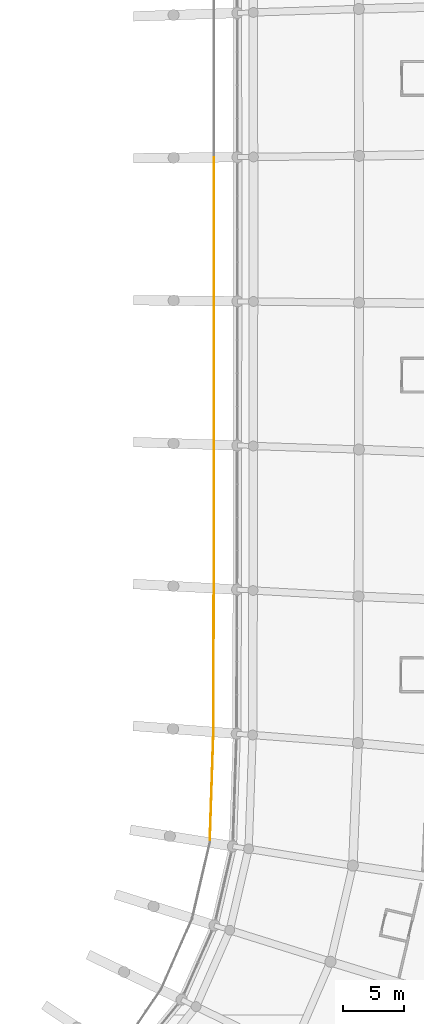
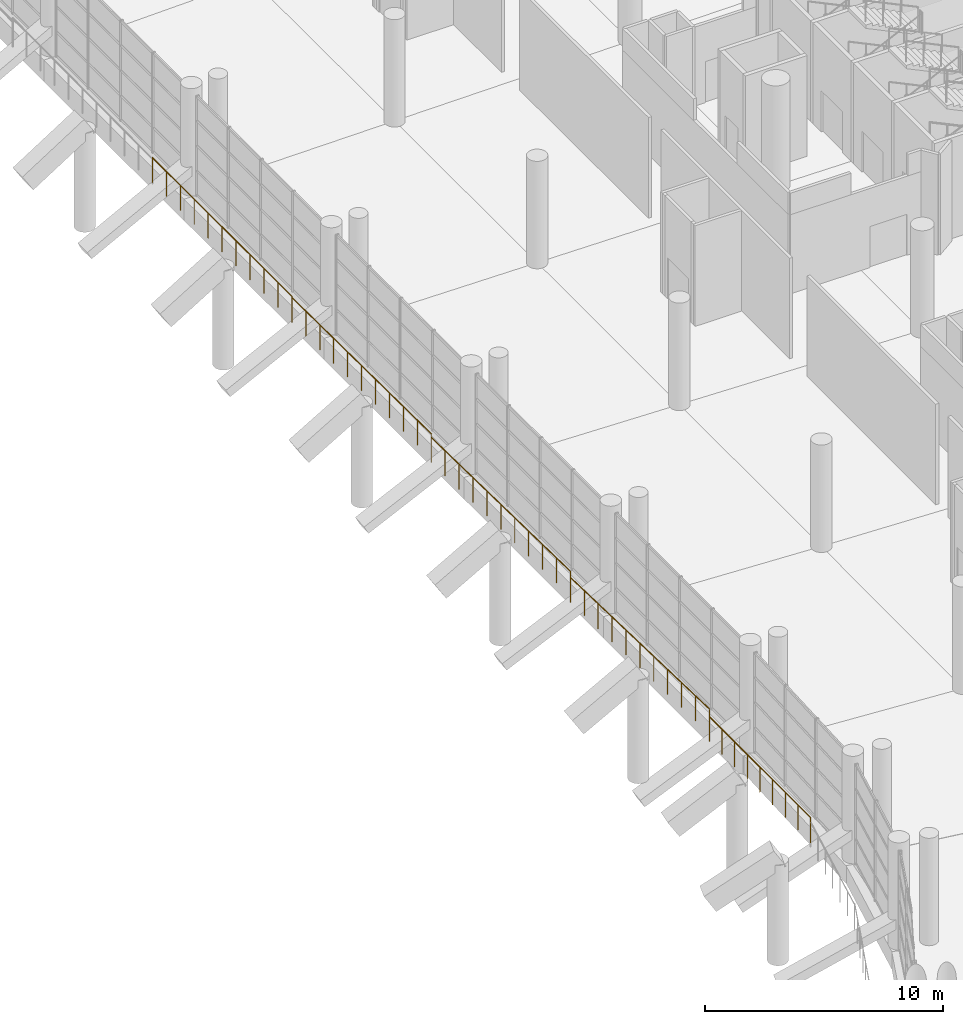
# One storey, part 244 of 271: 5 railings.
"""IFC4 building model written with IfcOpenShell, lengths in metres."""

from ifc_helpers import new_model, si_unit, direction, frame, origin, origin_2d, place, context, subcontext, project, spatial, circle, extrude, material, type_object, element, save


model = new_model("IFC4")

# Units and contexts
model_context = context("Model", 3, precision=1e-05, world=origin(), true_north=direction((0.0, 1.0)))
body_context = subcontext(model_context, "Body", "Model", "MODEL_VIEW")
ifc_project = project(units=[si_unit("LENGTHUNIT", "METRE"), si_unit("AREAUNIT", "SQUARE_METRE"), si_unit("VOLUMEUNIT", "CUBIC_METRE"), si_unit("PLANEANGLEUNIT", "RADIAN"), si_unit("MASSUNIT", "GRAM", prefix="KILO")], contexts=[model_context])

# Site, building, storey
site_placement = place(None, origin())
site = spatial("IfcSite", under=ifc_project, at=site_placement, CompositionType="ELEMENT")
building_placement = place(site_placement, origin())
building = spatial("IfcBuilding", under=site, at=building_placement, Name="Meseta Stadium", CompositionType="ELEMENT")
storey_placement = place(building_placement, frame((0.0, 0.0, 6.5)))
storey = spatial("IfcBuildingStorey", under=building, at=storey_placement, Name="L01", CompositionType="ELEMENT", Elevation=6.5)

# Railings
ifc_material = material(Name="Steel S355", Category="steel")
railing_type = type_object("IfcRailingType", Name="Stand rear guard 1300", PredefinedType="GUARDRAIL", material=ifc_material)
railing_1_placement = place(storey_placement, frame((61.34228515625, -49.970947265625, 1.243896484375)))
element("IfcRailing", 1, at=railing_1_placement, inside=storey, type_object=railing_type, Name="Stand lower tier rear guard bay 01", PredefinedType="GUARDRAIL", context=body_context, shape_type="SweptSolid", body=[
    extrude(circle(Radius=0.02490234375, at=origin_2d()), frame((0.0, 0.0, 1.27490234375), z_axis=(0.032921329146, 0.998514462974, -0.043417200723), x_axis=(-0.999456922124, 0.032952402314, 0.0)), (0.0, 0.0, 1.0), 9.025146484375),
    extrude(circle(Radius=0.02001953125, at=origin_2d()), origin(), (0.0, 0.0, 1.0), 1.25),
    extrude(circle(Radius=0.02001953125, at=origin_2d()), frame((0.037109375, 1.12646484375, -0.049072265625)), (0.0, 0.0, 1.0), 1.25),
    extrude(circle(Radius=0.02001953125, at=origin_2d()), frame((0.07421875, 2.2529296875, -0.097900390625)), (0.0, 0.0, 1.0), 1.25),
    extrude(circle(Radius=0.02001953125, at=origin_2d()), frame((0.111328125, 3.37939453125, -0.14697265625)), (0.0, 0.0, 1.0), 1.25),
    extrude(circle(Radius=0.02001953125, at=origin_2d()), frame((0.1484375, 4.505859375, -0.19580078125)), (0.0, 0.0, 1.0), 1.25),
    extrude(circle(Radius=0.02001953125, at=origin_2d()), frame((0.185791015625, 5.63232421875, -0.244873046875)), (0.0, 0.0, 1.0), 1.25),
    extrude(circle(Radius=0.02001953125, at=origin_2d()), frame((0.222900390625, 6.7587890625, -0.2939453125)), (0.0, 0.0, 1.0), 1.25),
    extrude(circle(Radius=0.02001953125, at=origin_2d()), frame((0.260009765625, 7.88525390625, -0.3427734375)), (0.0, 0.0, 1.0), 1.25),
    extrude(circle(Radius=0.02001953125, at=origin_2d()), frame((0.297119140625, 9.01171875, -0.391845703125)), (0.0, 0.0, 1.0), 1.25),
])
railing_2_placement = place(storey_placement, frame((61.639404296875, -40.959228515625, 1.24462890625)))
element("IfcRailing", 2, at=railing_2_placement, inside=storey, type_object=railing_type, Name="Stand lower tier rear guard bay 02", PredefinedType="GUARDRAIL", context=body_context, shape_type="SweptSolid", body=[
    extrude(circle(Radius=0.02490234375, at=origin_2d()), frame((0.0, 0.0, 1.27490234375), z_axis=(0.002523357505, 0.999478968055, -0.032178021735), x_axis=(-0.999996813029, 0.002524664894, 0.0)), (0.0, 0.0, 1.0), 11.70703125),
    extrude(circle(Radius=0.02001953125, at=origin_2d()), origin(), (0.0, 0.0, 1.0), 1.25),
    extrude(circle(Radius=0.02001953125, at=origin_2d()), frame((0.0029296875, 1.170166015625, -0.03759765625)), (0.0, 0.0, 1.0), 1.25),
    extrude(circle(Radius=0.02001953125, at=origin_2d()), frame((0.005859375, 2.340087890625, -0.075439453125)), (0.0, 0.0, 1.0), 1.25),
    extrude(circle(Radius=0.02001953125, at=origin_2d()), frame((0.0087890625, 3.51025390625, -0.113037109375)), (0.0, 0.0, 1.0), 1.25),
    extrude(circle(Radius=0.02001953125, at=origin_2d()), frame((0.01171875, 4.680419921875, -0.150634765625)), (0.0, 0.0, 1.0), 1.25),
    extrude(circle(Radius=0.02001953125, at=origin_2d()), frame((0.0146484375, 5.8505859375, -0.1884765625)), (0.0, 0.0, 1.0), 1.25),
    extrude(circle(Radius=0.02001953125, at=origin_2d()), frame((0.017822265625, 7.0205078125, -0.22607421875)), (0.0, 0.0, 1.0), 1.25),
    extrude(circle(Radius=0.02001953125, at=origin_2d()), frame((0.020751953125, 8.190673828125, -0.263671875)), (0.0, 0.0, 1.0), 1.25),
    extrude(circle(Radius=0.02001953125, at=origin_2d()), frame((0.023681640625, 9.36083984375, -0.30126953125)), (0.0, 0.0, 1.0), 1.25),
    extrude(circle(Radius=0.02001953125, at=origin_2d()), frame((0.026611328125, 10.53076171875, -0.339111328125)), (0.0, 0.0, 1.0), 1.25),
    extrude(circle(Radius=0.02001953125, at=origin_2d()), frame((0.029541015625, 11.700927734375, -0.376708984375)), (0.0, 0.0, 1.0), 1.25),
])
railing_3_placement = place(storey_placement, frame((61.6689453125, -29.25830078125, 1.18212890625)))
element("IfcRailing", 3, at=railing_3_placement, inside=storey, type_object=railing_type, Name="Stand lower tier rear guard bay 03", PredefinedType="GUARDRAIL", context=body_context, shape_type="SweptSolid", body=[
    extrude(circle(Radius=0.02490234375, at=origin_2d()), frame((0.0, 0.0, 1.27490234375), z_axis=(0.001689431111, 0.999767788681, -0.021482889438), x_axis=(-0.999998572251, 0.001689821095, 0.0)), (0.0, 0.0, 1.0), 11.705322265625),
    extrude(circle(Radius=0.02001953125, at=origin_2d()), origin(), (0.0, 0.0, 1.0), 1.25),
    extrude(circle(Radius=0.02001953125, at=origin_2d()), frame((0.001953125, 1.170166015625, -0.025146484375)), (0.0, 0.0, 1.0), 1.25),
    extrude(circle(Radius=0.02001953125, at=origin_2d()), frame((0.00390625, 2.340576171875, -0.05029296875)), (0.0, 0.0, 1.0), 1.25),
    extrude(circle(Radius=0.02001953125, at=origin_2d()), frame((0.005859375, 3.5107421875, -0.075439453125)), (0.0, 0.0, 1.0), 1.25),
    extrude(circle(Radius=0.02001953125, at=origin_2d()), frame((0.0078125, 4.68115234375, -0.1005859375)), (0.0, 0.0, 1.0), 1.25),
    extrude(circle(Radius=0.02001953125, at=origin_2d()), frame((0.009765625, 5.851318359375, -0.125732421875)), (0.0, 0.0, 1.0), 1.25),
    extrude(circle(Radius=0.02001953125, at=origin_2d()), frame((0.011962890625, 7.021484375, -0.15087890625)), (0.0, 0.0, 1.0), 1.25),
    extrude(circle(Radius=0.02001953125, at=origin_2d()), frame((0.013916015625, 8.19189453125, -0.176025390625)), (0.0, 0.0, 1.0), 1.25),
    extrude(circle(Radius=0.02001953125, at=origin_2d()), frame((0.015869140625, 9.362060546875, -0.201171875)), (0.0, 0.0, 1.0), 1.25),
    extrude(circle(Radius=0.02001953125, at=origin_2d()), frame((0.017822265625, 10.532470703125, -0.226318359375)), (0.0, 0.0, 1.0), 1.25),
    extrude(circle(Radius=0.02001953125, at=origin_2d()), frame((0.019775390625, 11.70263671875, -0.25146484375)), (0.0, 0.0, 1.0), 1.25),
])
railing_4_placement = place(storey_placement, frame((61.688720703125, -17.5556640625, 1.119384765625)))
element("IfcRailing", 4, at=railing_4_placement, inside=storey, type_object=railing_type, Name="Stand lower tier rear guard bay 04", PredefinedType="GUARDRAIL", context=body_context, shape_type="SweptSolid", body=[
    extrude(circle(Radius=0.02490234375, at=origin_2d()), frame((0.0, 0.0, 1.27490234375), z_axis=(0.000855221537, 0.999941708545, -0.010763275932), x_axis=(-0.999999634256, 0.000855271079, 0.0)), (0.0, 0.0, 1.0), 11.704345703125),
    extrude(circle(Radius=0.02001953125, at=origin_2d()), origin(), (0.0, 0.0, 1.0), 1.25),
    extrude(circle(Radius=0.02001953125, at=origin_2d()), frame((0.0009765625, 1.17041015625, -0.0126953125)), (0.0, 0.0, 1.0), 1.25),
    extrude(circle(Radius=0.02001953125, at=origin_2d()), frame((0.001953125, 2.3408203125, -0.025146484375)), (0.0, 0.0, 1.0), 1.25),
    extrude(circle(Radius=0.02001953125, at=origin_2d()), frame((0.0029296875, 3.510986328125, -0.037841796875)), (0.0, 0.0, 1.0), 1.25),
    extrude(circle(Radius=0.02001953125, at=origin_2d()), frame((0.00390625, 4.681396484375, -0.05029296875)), (0.0, 0.0, 1.0), 1.25),
    extrude(circle(Radius=0.02001953125, at=origin_2d()), frame((0.0048828125, 5.851806640625, -0.06298828125)), (0.0, 0.0, 1.0), 1.25),
    extrude(circle(Radius=0.02001953125, at=origin_2d()), frame((0.006103515625, 7.022216796875, -0.07568359375)), (0.0, 0.0, 1.0), 1.25),
    extrude(circle(Radius=0.02001953125, at=origin_2d()), frame((0.007080078125, 8.192626953125, -0.088134765625)), (0.0, 0.0, 1.0), 1.25),
    extrude(circle(Radius=0.02001953125, at=origin_2d()), frame((0.008056640625, 9.36279296875, -0.100830078125)), (0.0, 0.0, 1.0), 1.25),
    extrude(circle(Radius=0.02001953125, at=origin_2d()), frame((0.009033203125, 10.533203125, -0.11328125)), (0.0, 0.0, 1.0), 1.25),
    extrude(circle(Radius=0.02001953125, at=origin_2d()), frame((0.010009765625, 11.70361328125, -0.1259765625)), (0.0, 0.0, 1.0), 1.25),
])
railing_5_placement = place(storey_placement, frame((61.69873046875, -5.85205078125, 1.056396484375)))
element("IfcRailing", 5, at=railing_5_placement, inside=storey, type_object=railing_type, Name="Stand lower tier rear guard bay 05", PredefinedType="GUARDRAIL", context=body_context, shape_type="SweptSolid", body=[
    extrude(circle(Radius=0.02490234375, at=origin_2d()), frame((0.0, 0.0, 1.27490234375), z_axis=(0.0, 1.0, 0.0), x_axis=(-1.0, 0.0, 0.0)), (0.0, 0.0, 1.0), 11.7041015625),
    extrude(circle(Radius=0.02001953125, at=origin_2d()), origin(), (0.0, 0.0, 1.0), 1.25),
    extrude(circle(Radius=0.02001953125, at=origin_2d()), frame((0.0, 1.17041015625, 0.0)), (0.0, 0.0, 1.0), 1.25),
    extrude(circle(Radius=0.02001953125, at=origin_2d()), frame((0.0, 2.3408203125, 0.0)), (0.0, 0.0, 1.0), 1.25),
    extrude(circle(Radius=0.02001953125, at=origin_2d()), frame((0.0, 3.51123046875, 0.0)), (0.0, 0.0, 1.0), 1.25),
    extrude(circle(Radius=0.02001953125, at=origin_2d()), frame((0.0, 4.681640625, 0.0)), (0.0, 0.0, 1.0), 1.25),
    extrude(circle(Radius=0.02001953125, at=origin_2d()), frame((0.0, 5.85205078125, 0.0)), (0.0, 0.0, 1.0), 1.25),
    extrude(circle(Radius=0.02001953125, at=origin_2d()), frame((0.0, 7.0224609375, 0.0)), (0.0, 0.0, 1.0), 1.25),
    extrude(circle(Radius=0.02001953125, at=origin_2d()), frame((0.0, 8.19287109375, 0.0)), (0.0, 0.0, 1.0), 1.25),
    extrude(circle(Radius=0.02001953125, at=origin_2d()), frame((0.0, 9.36328125, 0.0)), (0.0, 0.0, 1.0), 1.25),
    extrude(circle(Radius=0.02001953125, at=origin_2d()), frame((0.0, 10.53369140625, 0.0)), (0.0, 0.0, 1.0), 1.25),
    extrude(circle(Radius=0.02001953125, at=origin_2d()), frame((0.0, 11.7041015625, 0.0)), (0.0, 0.0, 1.0), 1.25),
])

save(model, "model.ifc")
